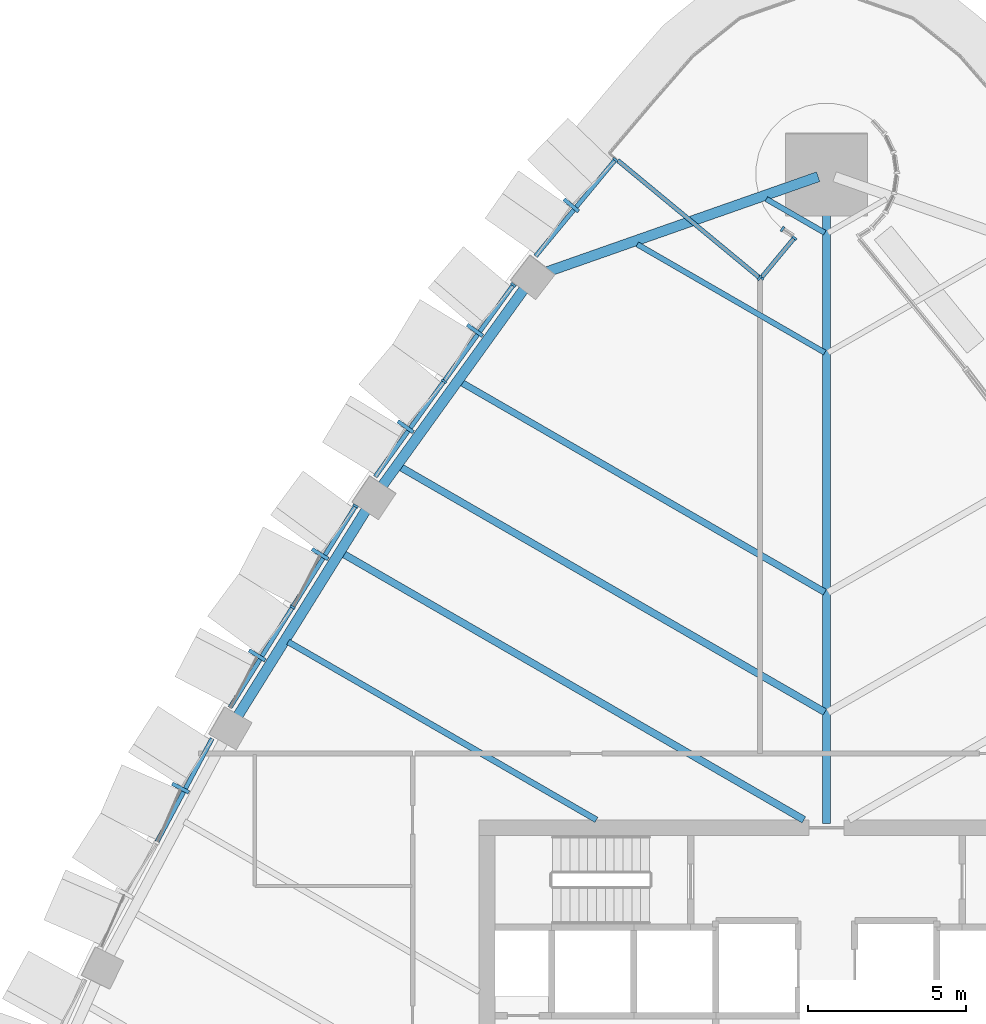
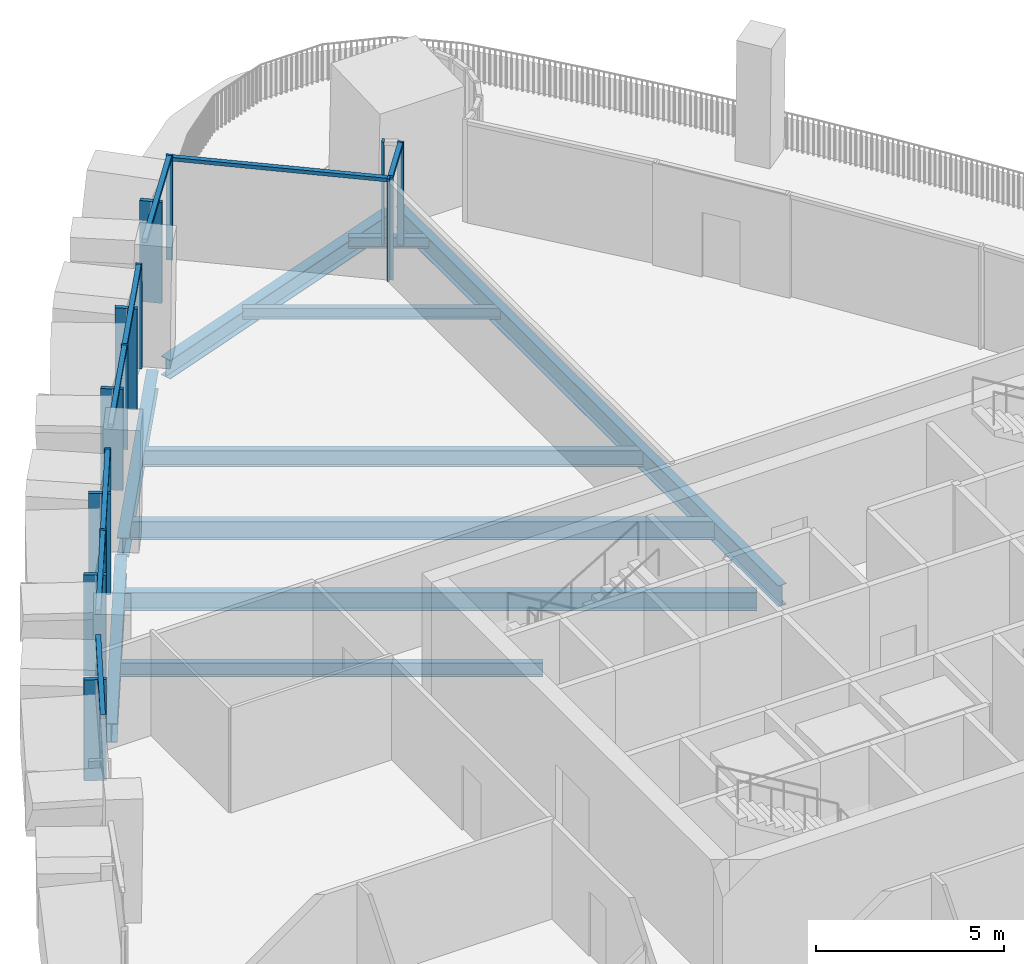
# One storey, part 6 of 22: 23 members, 10 beams, 7 elements without a shape of their own.
"""IFC4 building model written with IfcOpenShell, lengths in metres."""

from ifc_helpers import new_model, si_unit, direction, frame, origin, origin_2d, place, context, subcontext, project, spatial, rectangle, i_section, extrude, material, layer, layer_set, material_profile, profile_set, type_object, element, aggregate, save


model = new_model("IFC4")

# Units and contexts
model_context = context("Model", 3, precision=1e-05, world=origin(), true_north=direction((0.0, 1.0)))
body_context = subcontext(model_context, "Body", "Model", "MODEL_VIEW")
ifc_project = project(units=[si_unit("LENGTHUNIT", "METRE"), si_unit("AREAUNIT", "SQUARE_METRE"), si_unit("VOLUMEUNIT", "CUBIC_METRE"), si_unit("PLANEANGLEUNIT", "RADIAN"), si_unit("MASSUNIT", "GRAM", prefix="KILO")], contexts=[model_context])

# Site, building, storey
site_placement = place(None, origin())
site = spatial("IfcSite", under=ifc_project, at=site_placement, CompositionType="ELEMENT")
building_placement = place(site_placement, origin())
building = spatial("IfcBuilding", under=site, at=building_placement, Name="Sierra Prisma Convention Tower", CompositionType="ELEMENT")
storey_placement = place(building_placement, frame((0.0, 0.0, 141.800048828125)))
storey = spatial("IfcBuildingStorey", under=building, at=storey_placement, Name="L30", CompositionType="ELEMENT", Elevation=141.800048828125)

# Curtain wall, member
ifc_material_1 = material(Name="Aluminium and glass curtain wall", Category="aluminium")
ifc_layer_1 = layer(ifc_material_1, 0.179931640625)
ifc_layer_set_1 = layer_set([ifc_layer_1], Name="CW-2 Faceted crystal curtain wall")
curtain_wall_type_1 = type_object("IfcCurtainWallType", Name="CW-2 Faceted crystal curtain wall", PredefinedType="NOTDEFINED", material=ifc_layer_set_1)
curtain_wall_1_placement = place(storey_placement, origin())
curtain_wall_1 = element("IfcCurtainWall", 1, at=curtain_wall_1_placement, inside=storey, type_object=curtain_wall_type_1, Name="CW-2 NW1b L30", PredefinedType="NOTDEFINED")
ifc_material_2 = material(Name="Aluminium 6063-T6 bronze anodised", Category="aluminium")
ifc_material_profile_1 = material_profile(ifc_material_2, rectangle(XDim=0.1201171875, YDim=0.60009765625, at=origin_2d()), Name="ALU RIDGE BLADE 120x600")
ifc_profile_set_1 = profile_set([ifc_material_profile_1], Name="Aluminium 6063-T6 bronze anodised")
member_type_1 = type_object("IfcMemberType", Name="CW hip bronze", PredefinedType="MULLION", material=ifc_profile_set_1)
member_1_placement = place(storey_placement, frame((-8.077392578125, 27.460693359375, 0.0), z_axis=(0.0, 0.0, 1.0), x_axis=(-0.637523301513, -0.770431074158, 0.0)))
member_1 = element("IfcMember", 2, at=member_1_placement, type_object=member_type_1, Name="CW-2 ridge NW1b.1", PredefinedType="MULLION", context=body_context, shape_type="SweptSolid", body=[
    extrude(rectangle(XDim=0.1201171875, YDim=0.60009765625, at=origin_2d()), origin(), (0.0, 0.0, 1.0), 3.280029296875),
])

# Curtain wall, members
curtain_wall_2_placement = place(storey_placement, origin())
curtain_wall_2 = element("IfcCurtainWall", 3, at=curtain_wall_2_placement, inside=storey, type_object=curtain_wall_type_1, Name="CW-2 NW2 L30", PredefinedType="NOTDEFINED")
member_2_placement = place(storey_placement, frame((-11.12890625, 23.49951171875, 0.0), z_axis=(0.0, 0.0, 1.0), x_axis=(-0.58445405929, -0.811426800506, 0.0)))
member_2 = element("IfcMember", 4, at=member_2_placement, type_object=member_type_1, Name="CW-2 ridge NW2.1", PredefinedType="MULLION", context=body_context, shape_type="SweptSolid", body=[
    extrude(rectangle(XDim=0.1201171875, YDim=0.60009765625, at=origin_2d()), origin(), (0.0, 0.0, 1.0), 3.280029296875),
])
member_3_placement = place(storey_placement, frame((-13.326171875, 20.448974609375, 0.0), z_axis=(0.0, 0.0, 1.0), x_axis=(-0.58445405929, -0.811426800506, 0.0)))
member_3 = element("IfcMember", 5, at=member_3_placement, type_object=member_type_1, Name="CW-2 ridge NW2.2", PredefinedType="MULLION", context=body_context, shape_type="SweptSolid", body=[
    extrude(rectangle(XDim=0.1201171875, YDim=0.60009765625, at=origin_2d()), origin(), (0.0, 0.0, 1.0), 3.280029296875),
])

curtain_wall_3_placement = place(storey_placement, origin())
curtain_wall_3 = element("IfcCurtainWall", 6, at=curtain_wall_3_placement, inside=storey, type_object=curtain_wall_type_1, Name="CW-2 NW3 L30", PredefinedType="NOTDEFINED")
member_4_placement = place(storey_placement, frame((-16.03125, 16.41455078125, 0.0), z_axis=(0.0, 0.0, 1.0), x_axis=(-0.528756530642, -0.84877354536, 0.0)))
member_4 = element("IfcMember", 7, at=member_4_placement, type_object=member_type_1, Name="CW-2 ridge NW3.1", PredefinedType="MULLION", context=body_context, shape_type="SweptSolid", body=[
    extrude(rectangle(XDim=0.1201171875, YDim=0.60009765625, at=origin_2d()), origin(), (0.0, 0.0, 1.0), 3.280029296875),
])
member_5_placement = place(storey_placement, frame((-18.027587890625, 13.2099609375, 0.0), z_axis=(0.0, 0.0, 1.0), x_axis=(-0.528756530642, -0.84877354536, 0.0)))
member_5 = element("IfcMember", 8, at=member_5_placement, type_object=member_type_1, Name="CW-2 ridge NW3.2", PredefinedType="MULLION", context=body_context, shape_type="SweptSolid", body=[
    extrude(rectangle(XDim=0.1201171875, YDim=0.60009765625, at=origin_2d()), origin(), (0.0, 0.0, 1.0), 3.280029296875),
])

# Curtain wall, member
curtain_wall_4_placement = place(storey_placement, origin())
curtain_wall_4 = element("IfcCurtainWall", 9, at=curtain_wall_4_placement, inside=storey, type_object=curtain_wall_type_1, Name="CW-2 NW4 L30", PredefinedType="NOTDEFINED")
member_6_placement = place(storey_placement, frame((-20.453857421875, 9.00732421875, 0.0), z_axis=(0.0, 0.0, 1.0), x_axis=(-0.470681187021, -0.882303360633, 0.0)))
member_6 = element("IfcMember", 10, at=member_6_placement, type_object=member_type_1, Name="CW-2 ridge NW4.1", PredefinedType="MULLION", context=body_context, shape_type="SweptSolid", body=[
    extrude(rectangle(XDim=0.1201171875, YDim=0.60009765625, at=origin_2d()), origin(), (0.0, 0.0, 1.0), 3.280029296875),
])

# Member
ifc_material_3 = material(Name="Aluminium 6063-T6 bronze anodised", Category="aluminium")
ifc_material_profile_2 = material_profile(ifc_material_3, rectangle(XDim=0.179931640625, YDim=0.070068359375, at=origin_2d()), Name="ALU MULLION 70x180")
ifc_profile_set_2 = profile_set([ifc_material_profile_2], Name="Aluminium 6063-T6 bronze anodised")
member_type_2 = type_object("IfcMemberType", Name="CW mullion bronze", PredefinedType="MULLION", material=ifc_profile_set_2)
member_7_placement = place(storey_placement, frame((-6.684326171875, 28.90185546875, 0.0), z_axis=(0.0, 0.0, 1.0), x_axis=(0.770431074158, -0.637523301513, 0.0)))
member_7 = element("IfcMember", 11, at=member_7_placement, type_object=member_type_2, Name="CW-1 mullion NW1b.1", PredefinedType="MULLION", context=body_context, shape_type="SweptSolid", body=[
    extrude(rectangle(XDim=0.179931640625, YDim=0.070068359375, at=origin_2d()), origin(), (0.0, 0.0, 1.0), 3.39990234375),
])

member_8_placement = place(storey_placement, frame((-9.91259765625, 24.93994140625, 0.0), z_axis=(0.0, 0.0, 1.0), x_axis=(0.811426800506, -0.58445405929, 0.0)))
member_8 = element("IfcMember", 12, at=member_8_placement, type_object=member_type_2, Name="CW-1 mullion NW2.1", PredefinedType="MULLION", context=body_context, shape_type="SweptSolid", body=[
    extrude(rectangle(XDim=0.179931640625, YDim=0.070068359375, at=origin_2d()), origin(), (0.0, 0.0, 1.0), 3.39990234375),
])

member_9_placement = place(storey_placement, frame((-12.10986328125, 21.889404296875, 0.0), z_axis=(0.0, 0.0, 1.0), x_axis=(0.811426800506, -0.58445405929, 0.0)))
member_9 = element("IfcMember", 13, at=member_9_placement, type_object=member_type_2, Name="CW-1 mullion NW2.2", PredefinedType="MULLION", context=body_context, shape_type="SweptSolid", body=[
    extrude(rectangle(XDim=0.179931640625, YDim=0.070068359375, at=origin_2d()), origin(), (0.0, 0.0, 1.0), 3.39990234375),
])

member_10_placement = place(storey_placement, frame((-14.9091796875, 17.93994140625, 0.0), z_axis=(0.0, 0.0, 1.0), x_axis=(0.84877354536, -0.528756530642, 0.0)))
member_10 = element("IfcMember", 14, at=member_10_placement, type_object=member_type_2, Name="CW-1 mullion NW3.1", PredefinedType="MULLION", context=body_context, shape_type="SweptSolid", body=[
    extrude(rectangle(XDim=0.179931640625, YDim=0.070068359375, at=origin_2d()), origin(), (0.0, 0.0, 1.0), 3.39990234375),
])

member_11_placement = place(storey_placement, frame((-16.90576171875, 14.735107421875, 0.0), z_axis=(0.0, 0.0, 1.0), x_axis=(0.84877354536, -0.528756530642, 0.0)))
member_11 = element("IfcMember", 15, at=member_11_placement, type_object=member_type_2, Name="CW-1 mullion NW3.2", PredefinedType="MULLION", context=body_context, shape_type="SweptSolid", body=[
    extrude(rectangle(XDim=0.179931640625, YDim=0.070068359375, at=origin_2d()), origin(), (0.0, 0.0, 1.0), 3.39990234375),
])

# Curtain wall, member
ifc_material_4 = material(Name="Aluminium and glass curtain wall", Category="aluminium")
ifc_layer_2 = layer(ifc_material_4, 0.179931640625)
ifc_layer_set_2 = layer_set([ifc_layer_2], Name="CW-6 Terrace recess curtain wall")
curtain_wall_type_2 = type_object("IfcCurtainWallType", Name="CW-6 Terrace recess curtain wall", PredefinedType="NOTDEFINED", material=ifc_layer_set_2)
curtain_wall_5_placement = place(storey_placement, origin())
curtain_wall_5 = element("IfcCurtainWall", 16, at=curtain_wall_5_placement, inside=storey, type_object=curtain_wall_type_2, Name="CW-6 R34 L30", PredefinedType="NOTDEFINED")
member_12_placement = place(storey_placement, frame((-1.390625, 26.709228515625, 0.0), z_axis=(0.0, 0.0, 1.0), x_axis=(0.53885872076, 0.84239615328, 0.0)))
member_12 = element("IfcMember", 17, at=member_12_placement, type_object=member_type_2, Name="CW-6 mullion R34.1", PredefinedType="MULLION", context=body_context, shape_type="SweptSolid", body=[
    extrude(rectangle(XDim=0.179931640625, YDim=0.070068359375, at=origin_2d()), origin(), (0.0, 0.0, 1.0), 3.33984375),
])
aggregate(curtain_wall_5, [member_12])

# Curtain wall, members
curtain_wall_6_placement = place(storey_placement, origin())
curtain_wall_6 = element("IfcCurtainWall", 18, at=curtain_wall_6_placement, inside=storey, type_object=curtain_wall_type_2, Name="CW-6 R35 L30", PredefinedType="NOTDEFINED")
member_13_placement = place(storey_placement, frame((-1.01513671875, 26.427734375, 0.0), z_axis=(0.0, 0.0, 1.0), x_axis=(0.769144952707, -0.63907436322, 0.0)))
member_13 = element("IfcMember", 19, at=member_13_placement, type_object=member_type_2, Name="CW-6 mullion R35.1", PredefinedType="MULLION", context=body_context, shape_type="SweptSolid", body=[
    extrude(rectangle(XDim=0.179931640625, YDim=0.070068359375, at=origin_2d()), origin(), (0.0, 0.0, 1.0), 3.33984375),
])
member_14_placement = place(storey_placement, frame((-2.06201171875, 25.16796875, 0.0), z_axis=(0.0, 0.0, 1.0), x_axis=(0.769144952707, -0.63907436322, 0.0)))
member_14 = element("IfcMember", 20, at=member_14_placement, type_object=member_type_2, Name="CW-6 mullion R35.2", PredefinedType="MULLION", context=body_context, shape_type="SweptSolid", body=[
    extrude(rectangle(XDim=0.179931640625, YDim=0.070068359375, at=origin_2d()), origin(), (0.0, 0.0, 1.0), 3.33984375),
])

# Curtain wall, member
curtain_wall_7_placement = place(storey_placement, origin())
curtain_wall_7 = element("IfcCurtainWall", 21, at=curtain_wall_7_placement, inside=storey, type_object=curtain_wall_type_2, Name="CW-6 RT2 L30", PredefinedType="NOTDEFINED")
member_15_placement = place(storey_placement, frame((-2.111328125, 25.163330078125, 0.0), z_axis=(0.0, 0.0, 1.0), x_axis=(-0.637523301513, -0.770431074158, 0.0)))
member_15 = element("IfcMember", 22, at=member_15_placement, type_object=member_type_2, Name="CW-6 mullion RT2.1", PredefinedType="MULLION", context=body_context, shape_type="SweptSolid", body=[
    extrude(rectangle(XDim=0.179931640625, YDim=0.070068359375, at=origin_2d()), origin(), (0.0, 0.0, 1.0), 3.33984375),
])

# Member
ifc_material_5 = material(Name="Aluminium 6063-T6 bronze anodised", Category="aluminium")
ifc_material_profile_3 = material_profile(ifc_material_5, rectangle(XDim=0.139892578125, YDim=0.1201171875, at=origin_2d()), Name="ALU TRANSOM 120x140")
ifc_profile_set_3 = profile_set([ifc_material_profile_3], Name="Aluminium 6063-T6 bronze anodised")
member_type_3 = type_object("IfcMemberType", Name="CW transom bronze", PredefinedType="USERDEFINED", material=ifc_profile_set_3)
member_16_placement = place(storey_placement, frame((-6.706787109375, 28.875, 3.33984375), z_axis=(-0.637514271567, -0.770438546251, 0.0), x_axis=(0.770438546251, -0.637514271567, 0.0)))
member_16 = element("IfcMember", 23, at=member_16_placement, type_object=member_type_3, Name="CW-1 transom NW1b.1", ObjectType="TRANSOM", PredefinedType="USERDEFINED", context=body_context, shape_type="SweptSolid", body=[
    extrude(rectangle(XDim=0.139892578125, YDim=0.1201171875, at=origin_2d()), origin(), (0.0, 0.0, 1.0), 3.9267578125),
])

aggregate(curtain_wall_1, [member_7, member_16, member_1])

member_17_placement = place(storey_placement, frame((-9.932861328125, 24.91162109375, 3.33984375), z_axis=(-0.584463336979, -0.811420117896, 0.0), x_axis=(0.811420117896, -0.584463336979, 0.0)))
member_17 = element("IfcMember", 24, at=member_17_placement, type_object=member_type_3, Name="CW-1 transom NW2.1", ObjectType="TRANSOM", PredefinedType="USERDEFINED", context=body_context, shape_type="SweptSolid", body=[
    extrude(rectangle(XDim=0.139892578125, YDim=0.1201171875, at=origin_2d()), origin(), (0.0, 0.0, 1.0), 3.689697265625),
])

member_18_placement = place(storey_placement, frame((-12.130126953125, 21.86083984375, 3.33984375), z_axis=(-0.584494718166, -0.811397513206, 0.0), x_axis=(0.811397513206, -0.584494718166, 0.0)))
member_18 = element("IfcMember", 25, at=member_18_placement, type_object=member_type_3, Name="CW-1 transom NW2.2", ObjectType="TRANSOM", PredefinedType="USERDEFINED", context=body_context, shape_type="SweptSolid", body=[
    extrude(rectangle(XDim=0.139892578125, YDim=0.1201171875, at=origin_2d()), origin(), (0.0, 0.0, 1.0), 3.689453125),
])

aggregate(curtain_wall_2, [member_8, member_9, member_17, member_2, member_18, member_3])

member_19_placement = place(storey_placement, frame((-14.927734375, 17.91015625, 3.33984375), z_axis=(-0.528772528539, -0.848763579015, 0.0), x_axis=(0.848763579015, -0.528772528539, 0.0)))
member_19 = element("IfcMember", 26, at=member_19_placement, type_object=member_type_3, Name="CW-1 transom NW3.1", ObjectType="TRANSOM", PredefinedType="USERDEFINED", context=body_context, shape_type="SweptSolid", body=[
    extrude(rectangle(XDim=0.139892578125, YDim=0.1201171875, at=origin_2d()), origin(), (0.0, 0.0, 1.0), 3.705810546875),
])

member_20_placement = place(storey_placement, frame((-16.924072265625, 14.70556640625, 3.33984375), z_axis=(-0.528772528539, -0.848763579015, 0.0), x_axis=(0.848763579015, -0.528772528539, 0.0)))
member_20 = element("IfcMember", 27, at=member_20_placement, type_object=member_type_3, Name="CW-1 transom NW3.2", ObjectType="TRANSOM", PredefinedType="USERDEFINED", context=body_context, shape_type="SweptSolid", body=[
    extrude(rectangle(XDim=0.139892578125, YDim=0.1201171875, at=origin_2d()), origin(), (0.0, 0.0, 1.0), 3.705810546875),
])

aggregate(curtain_wall_3, [member_10, member_11, member_19, member_4, member_20, member_5])

member_21_placement = place(storey_placement, frame((-19.453125, 10.573486328125, 3.33984375), z_axis=(-0.470721588175, -0.882281806696, 0.0), x_axis=(0.882281806696, -0.470721588175, 0.0)))
member_21 = element("IfcMember", 28, at=member_21_placement, type_object=member_type_3, Name="CW-1 transom NW4.1", ObjectType="TRANSOM", PredefinedType="USERDEFINED", context=body_context, shape_type="SweptSolid", body=[
    extrude(rectangle(XDim=0.139892578125, YDim=0.1201171875, at=origin_2d()), origin(), (0.0, 0.0, 1.0), 3.705810546875),
])

aggregate(curtain_wall_4, [member_21, member_6])

member_22_placement = place(storey_placement, frame((-1.03759765625, 26.40087890625, 3.280029296875), z_axis=(-0.639019694535, -0.769190373052, 0.0), x_axis=(0.769190373052, -0.639019694535, 0.0)))
member_22 = element("IfcMember", 29, at=member_22_placement, type_object=member_type_3, Name="CW-6 transom R35.1", ObjectType="TRANSOM", PredefinedType="USERDEFINED", context=body_context, shape_type="SweptSolid", body=[
    extrude(rectangle(XDim=0.139892578125, YDim=0.1201171875, at=origin_2d()), origin(), (0.0, 0.0, 1.0), 1.56787109375),
])

aggregate(curtain_wall_6, [member_13, member_14, member_22])

member_23_placement = place(storey_placement, frame((-2.138427734375, 25.185546875, 3.280029296875), z_axis=(-0.770424255307, 0.637531541835, 0.0), x_axis=(-0.637531541835, -0.770424255307, 0.0)))
member_23 = element("IfcMember", 30, at=member_23_placement, type_object=member_type_3, Name="CW-6 transom RT2.1", ObjectType="TRANSOM", PredefinedType="USERDEFINED", context=body_context, shape_type="SweptSolid", body=[
    extrude(rectangle(XDim=0.139892578125, YDim=0.1201171875, at=origin_2d()), origin(), (0.0, 0.0, 1.0), 5.8017578125),
])

aggregate(curtain_wall_7, [member_15, member_23])

# Beams
ifc_material_6 = material(Name="Steel ASTM A992 Gr 50", Category="steel")
ifc_material_profile_4 = material_profile(ifc_material_6, i_section(OverallWidth=0.172119140625, OverallDepth=0.35791015625, WebThickness=0.0078125, FlangeThickness=0.01318359375, at=origin_2d()), Name="W360x57")
ifc_profile_set_4 = profile_set([ifc_material_profile_4], Name="Steel ASTM A992 Gr 50")
beam_type_1 = type_object("IfcBeamType", Name="Floor joist W360x57", PredefinedType="JOIST", material=ifc_profile_set_4)
beam_1_placement = place(storey_placement, frame((-1.901611328125, 27.6591796875, -0.3291015625), z_axis=(0.866020080793, -0.500009219579, 0.0), x_axis=(0.500009219579, 0.866020080793, 0.0)))
element("IfcBeam", 31, at=beam_1_placement, inside=storey, type_object=beam_type_1, Name="Floor joist L30 NW01", PredefinedType="JOIST", context=body_context, shape_type="SweptSolid", body=[
    extrude(i_section(OverallWidth=0.172119140625, OverallDepth=0.35791015625, WebThickness=0.0078125, FlangeThickness=0.01318359375, at=origin_2d()), origin(), (0.0, 0.0, 1.0), 2.13720703125),
])
beam_2_placement = place(storey_placement, frame((-5.989501953125, 26.224853515625, -0.3291015625), z_axis=(0.86602610211, -0.499998790464, 0.0), x_axis=(0.499998790464, 0.86602610211, 0.0)))
element("IfcBeam", 32, at=beam_2_placement, inside=storey, type_object=beam_type_1, Name="Floor joist L30 NW02", PredefinedType="JOIST", context=body_context, shape_type="SweptSolid", body=[
    extrude(i_section(OverallWidth=0.172119140625, OverallDepth=0.35791015625, WebThickness=0.0078125, FlangeThickness=0.01318359375, at=origin_2d()), origin(), (0.0, 0.0, 1.0), 6.857421875),
])
ifc_material_7 = material(Name="Steel ASTM A992 Gr 50", Category="steel")
ifc_material_profile_5 = material_profile(ifc_material_7, i_section(OverallWidth=0.18994140625, OverallDepth=0.45703125, WebThickness=0.009033203125, FlangeThickness=0.014404296875, at=origin_2d()), Name="W460x74")
ifc_profile_set_5 = profile_set([ifc_material_profile_5], Name="Steel ASTM A992 Gr 50")
beam_type_2 = type_object("IfcBeamType", Name="Floor joist W460x74", PredefinedType="JOIST", material=ifc_profile_set_5)
beam_3_placement = place(storey_placement, frame((-17.045654296875, 13.6357421875, -0.378662109375), z_axis=(0.86602724031, -0.499996819031, 0.0), x_axis=(0.499996819031, 0.86602724031, 0.0)))
element("IfcBeam", 33, at=beam_3_placement, inside=storey, type_object=beam_type_2, Name="Floor joist L30 NW07", PredefinedType="JOIST", context=body_context, shape_type="SweptSolid", body=[
    extrude(i_section(OverallWidth=0.18994140625, OverallDepth=0.45703125, WebThickness=0.009033203125, FlangeThickness=0.014404296875, at=origin_2d()), origin(), (0.0, 0.0, 1.0), 11.271484375),
])
ifc_material_8 = material(Name="Steel ASTM A992 Gr 50", Category="steel")
ifc_material_profile_6 = material_profile(ifc_material_8, i_section(OverallWidth=0.208984375, OverallDepth=0.532958984375, WebThickness=0.01025390625, FlangeThickness=0.015625, at=origin_2d()), Name="W530x92")
ifc_profile_set_6 = profile_set([ifc_material_profile_6], Name="Steel ASTM A992 Gr 50")
beam_type_3 = type_object("IfcBeamType", Name="Floor joist W530x92", PredefinedType="JOIST", material=ifc_profile_set_6)
beam_4_placement = place(storey_placement, frame((-11.564697265625, 21.854736328125, -0.41650390625), z_axis=(0.866020760464, -0.50000804238, 0.0), x_axis=(0.50000804238, 0.866020760464, 0.0)))
element("IfcBeam", 34, at=beam_4_placement, inside=storey, type_object=beam_type_3, Name="Floor joist L30 NW04", PredefinedType="JOIST", context=body_context, shape_type="SweptSolid", body=[
    extrude(i_section(OverallWidth=0.208984375, OverallDepth=0.532958984375, WebThickness=0.01025390625, FlangeThickness=0.015625, at=origin_2d()), origin(), (0.0, 0.0, 1.0), 13.295166015625),
])
ifc_material_9 = material(Name="Steel ASTM A992 Gr 50", Category="steel")
ifc_material_profile_7 = material_profile(ifc_material_9, i_section(OverallWidth=0.22802734375, OverallDepth=0.60302734375, WebThickness=0.010498046875, FlangeThickness=0.014892578125, at=origin_2d()), Name="W610x101")
ifc_profile_set_7 = profile_set([ifc_material_profile_7], Name="Steel ASTM A992 Gr 50")
beam_type_4 = type_object("IfcBeamType", Name="Floor joist W610x101", PredefinedType="JOIST", material=ifc_profile_set_7)
beam_5_placement = place(storey_placement, frame((-13.494873046875, 19.174560546875, -0.45166015625), z_axis=(0.866025044723, -0.500000621913, 0.0), x_axis=(0.500000621913, 0.866025044723, 0.0)))
element("IfcBeam", 35, at=beam_5_placement, inside=storey, type_object=beam_type_4, Name="Floor joist L30 NW05", PredefinedType="JOIST", context=body_context, shape_type="SweptSolid", body=[
    extrude(i_section(OverallWidth=0.22802734375, OverallDepth=0.60302734375, WebThickness=0.010498046875, FlangeThickness=0.014892578125, at=origin_2d()), origin(), (0.0, 0.0, 1.0), 15.52392578125),
])
beam_6_placement = place(storey_placement, frame((-15.307373046875, 16.426513671875, -0.45166015625), z_axis=(0.866026368493, -0.499998329071, 0.0), x_axis=(0.499998329071, 0.866026368493, 0.0)))
element("IfcBeam", 36, at=beam_6_placement, inside=storey, type_object=beam_type_4, Name="Floor joist L30 NW06", PredefinedType="JOIST", context=body_context, shape_type="SweptSolid", body=[
    extrude(i_section(OverallWidth=0.22802734375, OverallDepth=0.60302734375, WebThickness=0.010498046875, FlangeThickness=0.014892578125, at=origin_2d()), origin(), (0.0, 0.0, 1.0), 16.85302734375),
])
ifc_material_10 = material(Name="Steel ASTM A992 Gr 50", Category="steel")
ifc_material_profile_8 = material_profile(ifc_material_10, i_section(OverallWidth=0.25390625, OverallDepth=0.68408203125, WebThickness=0.012451171875, FlangeThickness=0.018798828125, at=origin_2d()), Name="W690x140")
ifc_profile_set_8 = profile_set([ifc_material_profile_8], Name="Steel ASTM A992 Gr 50")
beam_type_5 = type_object("IfcBeamType", Name="Radial girder W690x140", PredefinedType="BEAM", material=ifc_profile_set_8)
beam_7_placement = place(storey_placement, frame((0.0, 28.198486328125, -0.491943359375), z_axis=(0.0, -1.0, 0.0), x_axis=(1.0, 0.0, 0.0)))
element("IfcBeam", 37, at=beam_7_placement, inside=storey, type_object=beam_type_5, Name="Radial girder L30 N", PredefinedType="BEAM", context=body_context, shape_type="SweptSolid", body=[
    extrude(i_section(OverallWidth=0.25390625, OverallDepth=0.68408203125, WebThickness=0.012451171875, FlangeThickness=0.018798828125, at=origin_2d()), origin(), (0.0, 0.0, 1.0), 20.318603515625),
])
ifc_material_11 = material(Name="Steel ASTM A992 Gr 50", Category="steel")
ifc_material_profile_9 = material_profile(ifc_material_11, i_section(OverallWidth=0.324951171875, OverallDepth=0.615966796875, WebThickness=0.013916015625, FlangeThickness=0.021484375, at=origin_2d()), Name="W610x174")
ifc_profile_set_9 = profile_set([ifc_material_profile_9], Name="Steel ASTM A992 Gr 50")
beam_type_6 = type_object("IfcBeamType", Name="Spandrel beam W610x174", PredefinedType="BEAM", material=ifc_profile_set_9)
beam_8_placement = place(storey_placement, frame((-0.260009765625, 28.3671875, -0.608154296875), z_axis=(-0.943597923622, -0.331093579728, 0.0), x_axis=(0.331093579728, -0.943597923622, 0.0)))
element("IfcBeam", 38, at=beam_8_placement, inside=storey, type_object=beam_type_6, Name="Spandrel L30-13", PredefinedType="BEAM", context=body_context, shape_type="SweptSolid", body=[
    extrude(i_section(OverallWidth=0.324951171875, OverallDepth=0.615966796875, WebThickness=0.013916015625, FlangeThickness=0.021484375, at=origin_2d()), origin(), (0.0, 0.0, 1.0), 9.1005859375),
])
for number, where, z_axis, x_axis, name in (
    (39, (-9.518798828125, 24.887939453125, -0.4580078125), (-0.584452192516, -0.811428145102, 0.0), (0.811428145102, -0.584452192516, 0.0), "Spandrel L30-14"),
    (40, (-14.530029296875, 17.886962890625, -0.4580078125), (-0.528748731855, -0.848778403685, 0.0), (0.848778403685, -0.528748731855, 0.0), "Spandrel L30-15"),
):
    element("IfcBeam", number, at=place(storey_placement, frame(where, z_axis=z_axis, x_axis=x_axis)), inside=storey, type_object=beam_type_6, Name=name, PredefinedType="BEAM", context=body_context, shape_type="SweptSolid", body=[
        extrude(i_section(OverallWidth=0.324951171875, OverallDepth=0.615966796875, WebThickness=0.013916015625, FlangeThickness=0.021484375, at=origin_2d()), origin(), (0.0, 0.0, 1.0), 7.849853515625),
    ])

save(model, "model.ifc")
